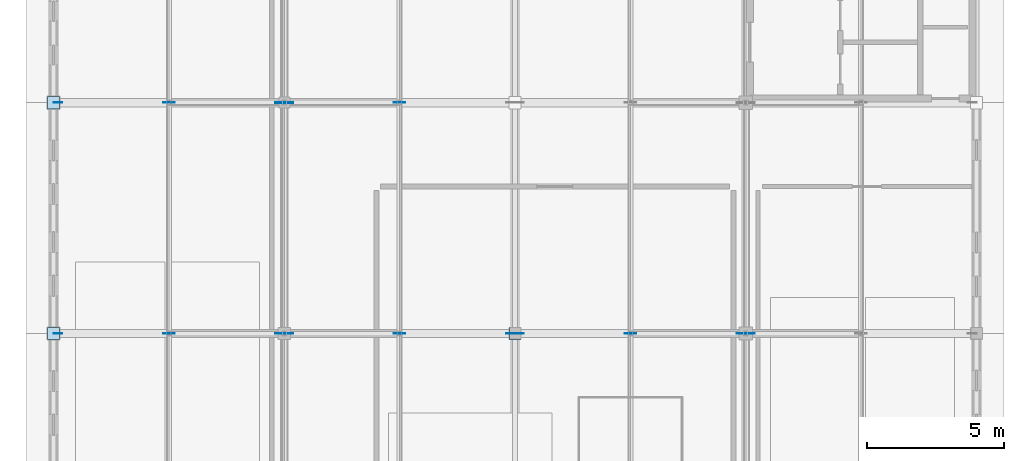
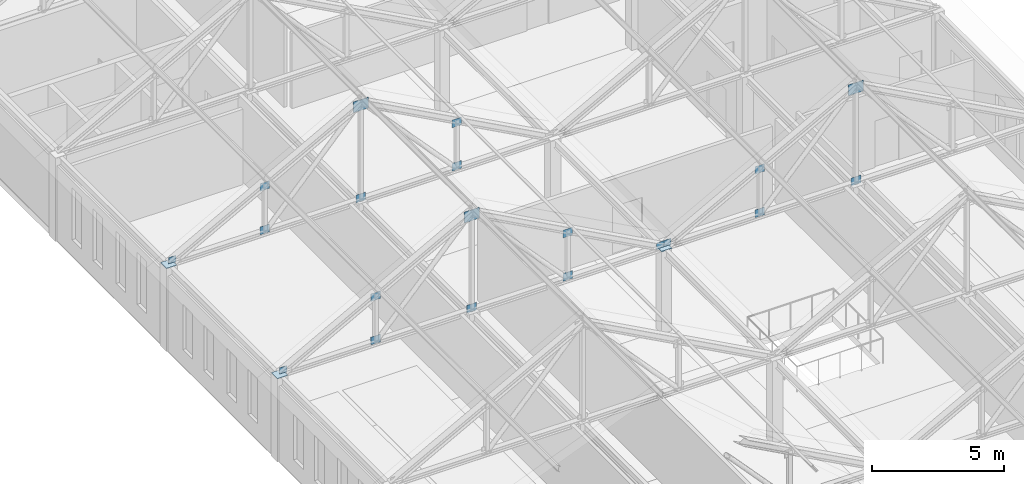
# One storey, part 24 of 36: 23 plates.
"""IFC4 building model written with IfcOpenShell, lengths in metres."""

from ifc_helpers import new_model, si_unit, direction, frame, origin, origin_2d, place, context, subcontext, project, spatial, rectangle, extrude, material, layer, layer_set, type_object, element, save


model = new_model("IFC4")

# Units and contexts
model_context = context("Model", 3, precision=1e-05, world=origin(), true_north=direction((0.0, 1.0)))
body_context = subcontext(model_context, "Body", "Model", "MODEL_VIEW")
ifc_project = project(units=[si_unit("LENGTHUNIT", "METRE"), si_unit("AREAUNIT", "SQUARE_METRE"), si_unit("VOLUMEUNIT", "CUBIC_METRE"), si_unit("PLANEANGLEUNIT", "RADIAN"), si_unit("MASSUNIT", "GRAM", prefix="KILO")], contexts=[model_context])

# Site, building, storey
site_placement = place(None, origin())
site = spatial("IfcSite", under=ifc_project, at=site_placement, CompositionType="ELEMENT")
building_placement = place(site_placement, origin())
building = spatial("IfcBuilding", under=site, at=building_placement, Name="Kveldsbrygga Polytechnic", CompositionType="ELEMENT")
storey_placement = place(building_placement, frame((0.0, 0.0, 26.179931640625)))
storey = spatial("IfcBuildingStorey", under=building, at=storey_placement, Name="L06", CompositionType="ELEMENT", Elevation=26.179931640625)

# Plates
ifc_material = material(Name="Steel S355", Category="steel")
ifc_layer_1 = layer(ifc_material, 0.030029296875)
ifc_layer_set_1 = layer_set([ifc_layer_1], Name="Steel S355")
plate_type_1 = type_object("IfcPlateType", Name="CAP-BEAR-450", PredefinedType="SHEET", material=ifc_layer_set_1)
for number, where, z_axis, x_axis, name in (
    (1, (126.0, 67.199951171875, 3.81005859375), (0.0, 0.0, 1.0), (1.0, 0.0, 0.0), "Truss Bearing Plate V4M1-T07-A"),
    (2, (142.800048828125, 67.199951171875, 3.81005859375), (0.0, 0.0, 1.0), (1.0, 0.0, 0.0), "Truss Bearing Plate V4M1-T07-B"),
    (3, (126.0, 75.60009765625, 3.81005859375), (0.0, 0.0, 1.0), (1.0, 0.0, 0.0), "Truss Bearing Plate V4M1-T08-A"),
):
    element("IfcPlate", number, at=place(storey_placement, frame(where, z_axis=z_axis, x_axis=x_axis)), inside=storey, type_object=plate_type_1, Name=name, PredefinedType="SHEET", context=body_context, shape_type="SweptSolid", body=[
        extrude(rectangle(XDim=0.449951171875, YDim=0.449951171875, at=origin_2d()), origin(), (0.0, 0.0, 1.0), 0.030029296875),
    ])
ifc_layer_2 = layer(ifc_material, 0.02490234375)
ifc_layer_set_2 = layer_set([ifc_layer_2], Name="Steel S355")
plate_type_2 = type_object("IfcPlateType", Name="GUS-APEX-650", PredefinedType="SHEET", material=ifc_layer_set_2)
for number, where, z_axis, x_axis, name in (
    (4, (134.39990234375, 67.199951171875, 7.989990234375), (0.0, 0.0, 1.0), (1.0, 0.0, 0.0), "Truss Gusset Plate V4M1-T07-GP-2"),
    (5, (134.39990234375, 75.60009765625, 7.989990234375), (0.0, 0.0, 1.0), (1.0, 0.0, 0.0), "Truss Gusset Plate V4M1-T08-GP-2"),
    (6, (151.199951171875, 67.199951171875, 7.989990234375), (0.0, 0.0, 1.0), (1.0, 0.0, 0.0), "Truss Gusset Plate V4M2-T07-GP-2"),
):
    element("IfcPlate", number, at=place(storey_placement, frame(where, z_axis=z_axis, x_axis=x_axis)), inside=storey, type_object=plate_type_2, Name=name, PredefinedType="SHEET", context=body_context, shape_type="SweptSolid", body=[
        extrude(rectangle(XDim=0.64990234375, YDim=0.02490234375, at=origin_2d()), origin(), (0.0, 0.0, 1.0), 0.5),
    ])
ifc_layer_3 = layer(ifc_material, 0.01806640625)
ifc_layer_set_3 = layer_set([ifc_layer_3], Name="Steel S355")
plate_type_3 = type_object("IfcPlateType", Name="GUS-BRACE-320", PredefinedType="SHEET", material=ifc_layer_set_3)
for number, where, z_axis, x_axis, name in (
    (7, (126.159912109375, 67.199951171875, 3.7998046875), (0.0, 0.0, 1.0), (1.0, 0.0, 0.0), "Truss Eaves Node Gusset V4M1-T07-EGP-A"),
    (8, (142.639892578125, 67.199951171875, 3.7998046875), (0.0, 0.0, 1.0), (1.0, 0.0, 0.0), "Truss Eaves Node Gusset V4M1-T07-EGP-B"),
    (9, (126.159912109375, 75.60009765625, 3.7998046875), (0.0, 0.0, 1.0), (1.0, 0.0, 0.0), "Truss Eaves Node Gusset V4M1-T08-EGP-A"),
    (10, (142.9599609375, 67.199951171875, 3.7998046875), (0.0, 0.0, 1.0), (1.0, 0.0, 0.0), "Truss Eaves Node Gusset V4M2-T07-EGP-A"),
):
    element("IfcPlate", number, at=place(storey_placement, frame(where, z_axis=z_axis, x_axis=x_axis)), inside=storey, type_object=plate_type_3, Name=name, PredefinedType="SHEET", context=body_context, shape_type="SweptSolid", body=[
        extrude(rectangle(XDim=0.320068359375, YDim=0.01806640625, at=origin_2d()), origin(), (0.0, 0.0, 1.0), 0.320068359375),
    ])
ifc_layer_4 = layer(ifc_material, 0.02001953125)
ifc_layer_set_4 = layer_set([ifc_layer_4], Name="Steel S355")
plate_type_4 = type_object("IfcPlateType", Name="GUS-LECT-420", PredefinedType="SHEET", material=ifc_layer_set_4)
for number, where, z_axis, x_axis, name in (
    (11, (130.199951171875, 67.199951171875, 5.7900390625), (0.0, 0.0, 1.0), (1.0, 0.0, 0.0), "Truss Gusset Plate V4M1-T07-GP-1"),
    (12, (130.199951171875, 67.199951171875, 3.784912109375), (0.0, 0.0, 1.0), (1.0, 0.0, 0.0), "Truss Bottom-Chord Node Gusset V4M1-T07-BGP-1"),
    (13, (134.39990234375, 67.199951171875, 3.784912109375), (0.0, 0.0, 1.0), (1.0, 0.0, 0.0), "Truss Bottom-Chord Node Gusset V4M1-T07-BGP-2"),
    (14, (138.60009765625, 67.199951171875, 5.7900390625), (0.0, 0.0, 1.0), (1.0, 0.0, 0.0), "Truss Gusset Plate V4M1-T07-GP-3"),
    (15, (138.60009765625, 67.199951171875, 3.784912109375), (0.0, 0.0, 1.0), (1.0, 0.0, 0.0), "Truss Bottom-Chord Node Gusset V4M1-T07-BGP-3"),
    (16, (130.199951171875, 75.60009765625, 5.7900390625), (0.0, 0.0, 1.0), (1.0, 0.0, 0.0), "Truss Gusset Plate V4M1-T08-GP-1"),
    (17, (130.199951171875, 75.60009765625, 3.784912109375), (0.0, 0.0, 1.0), (1.0, 0.0, 0.0), "Truss Bottom-Chord Node Gusset V4M1-T08-BGP-1"),
    (18, (134.39990234375, 75.60009765625, 3.784912109375), (0.0, 0.0, 1.0), (1.0, 0.0, 0.0), "Truss Bottom-Chord Node Gusset V4M1-T08-BGP-2"),
    (19, (138.60009765625, 75.60009765625, 5.7900390625), (0.0, 0.0, 1.0), (1.0, 0.0, 0.0), "Truss Gusset Plate V4M1-T08-GP-3"),
    (20, (138.60009765625, 75.60009765625, 3.784912109375), (0.0, 0.0, 1.0), (1.0, 0.0, 0.0), "Truss Bottom-Chord Node Gusset V4M1-T08-BGP-3"),
    (21, (147.0, 67.199951171875, 5.7900390625), (0.0, 0.0, 1.0), (1.0, 0.0, 0.0), "Truss Gusset Plate V4M2-T07-GP-1"),
    (22, (147.0, 67.199951171875, 3.784912109375), (0.0, 0.0, 1.0), (1.0, 0.0, 0.0), "Truss Bottom-Chord Node Gusset V4M2-T07-BGP-1"),
    (23, (151.199951171875, 67.199951171875, 3.784912109375), (0.0, 0.0, 1.0), (1.0, 0.0, 0.0), "Truss Bottom-Chord Node Gusset V4M2-T07-BGP-2"),
):
    element("IfcPlate", number, at=place(storey_placement, frame(where, z_axis=z_axis, x_axis=x_axis)), inside=storey, type_object=plate_type_4, Name=name, PredefinedType="SHEET", context=body_context, shape_type="SweptSolid", body=[
        extrude(rectangle(XDim=0.419921875, YDim=0.02001953125, at=origin_2d()), origin(), (0.0, 0.0, 1.0), 0.35009765625),
    ])

save(model, "model.ifc")
